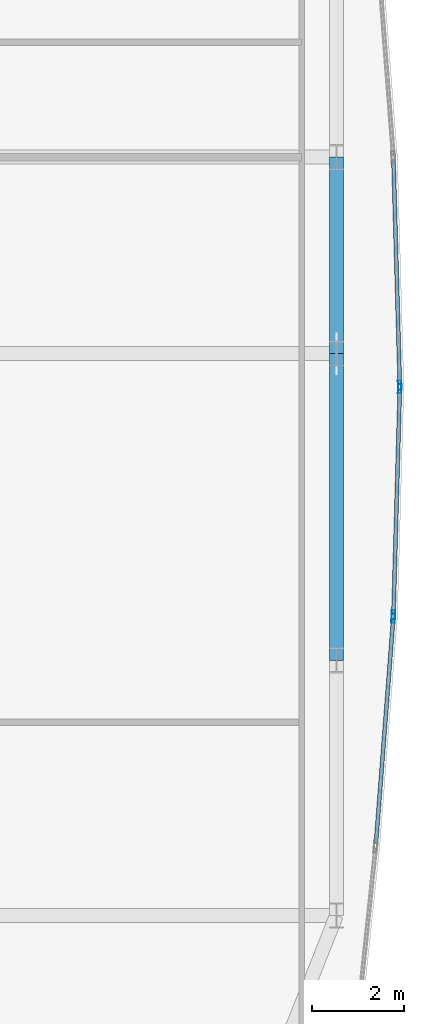
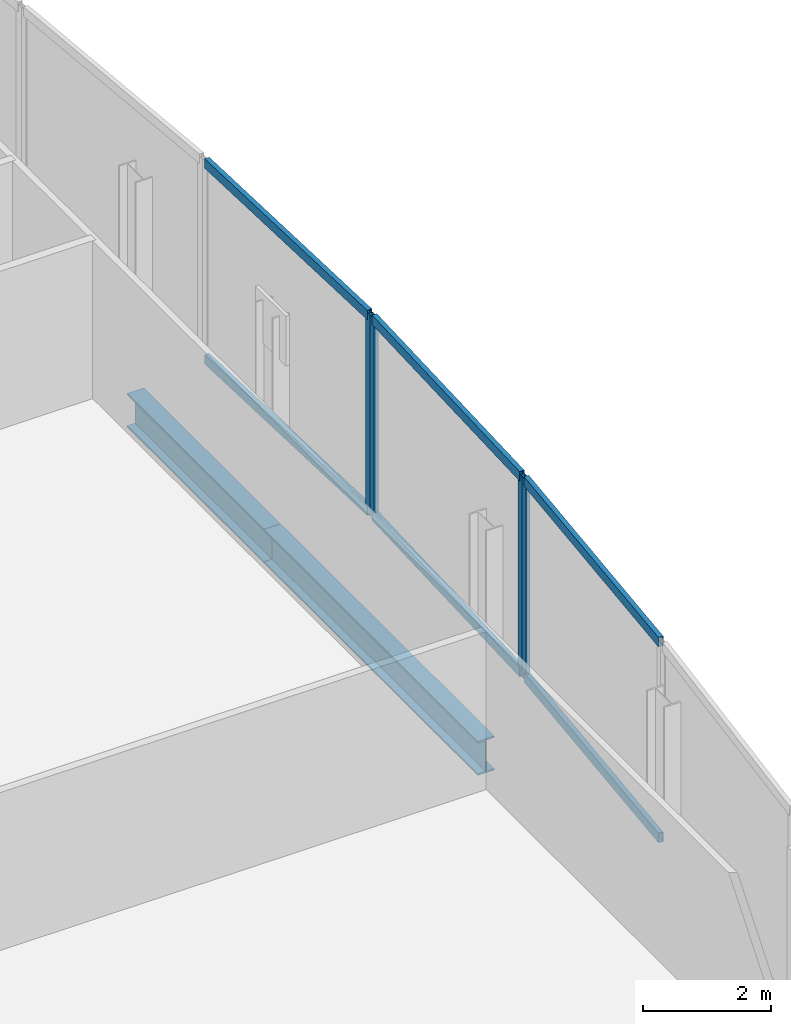
# One storey, part 22 of 30: 10 members, 2 beams, 3 elements without a shape of their own.
"""IFC4 building model written with IfcOpenShell, lengths in metres."""

from ifc_helpers import new_model, si_unit, direction, frame, origin, origin_2d, place, context, subcontext, project, spatial, hollow_rectangle, i_section, extrude, material, material_profile, profile_set, type_object, element, aggregate, save


model = new_model("IFC4")

# Units and contexts
model_context = context("Model", 3, precision=1e-05, world=origin(), true_north=direction((0.0, 1.0)))
body_context = subcontext(model_context, "Body", "Model", "MODEL_VIEW")
ifc_project = project(units=[si_unit("LENGTHUNIT", "METRE"), si_unit("AREAUNIT", "SQUARE_METRE"), si_unit("VOLUMEUNIT", "CUBIC_METRE"), si_unit("PLANEANGLEUNIT", "RADIAN"), si_unit("MASSUNIT", "GRAM", prefix="KILO")], contexts=[model_context])

# Site, building, storey
site_placement = place(None, origin())
site = spatial("IfcSite", under=ifc_project, at=site_placement, CompositionType="ELEMENT")
building_placement = place(site_placement, origin())
building = spatial("IfcBuilding", under=site, at=building_placement, Name="Khoronbel Lancet Exchange", CompositionType="ELEMENT")
storey_placement = place(building_placement, frame((0.0, 0.0, 90.60009765625)))
storey = spatial("IfcBuildingStorey", under=building, at=storey_placement, Name="L21", CompositionType="ELEMENT", Elevation=90.60009765625)

# Beams
ifc_material_1 = material(Name="Steel S355", Category="steel")
ifc_material_profile_1 = material_profile(ifc_material_1, i_section(OverallWidth=0.300048828125, OverallDepth=0.64990234375, WebThickness=0.01611328125, FlangeThickness=0.031005859375, at=origin_2d()), Name="HEB 650")
ifc_profile_set_1 = profile_set([ifc_material_profile_1], Name="Steel S355")
beam_type = type_object("IfcBeamType", Name="BM-BSP1", PredefinedType="SPANDREL", material=ifc_profile_set_1)
beam_1_placement = place(storey_placement, frame((69.6298828125, 24.75, -0.505126953125), z_axis=(0.0, 1.0, 0.0), x_axis=(-1.0, 0.0, 0.0)))
element("IfcBeam", 1, at=beam_1_placement, inside=storey, type_object=beam_type, Name="Level L21 perimeter spandrel beam SP12", PredefinedType="SPANDREL", context=body_context, shape_type="SweptSolid", body=[
    extrude(i_section(OverallWidth=0.300048828125, OverallDepth=0.64990234375, WebThickness=0.01611328125, FlangeThickness=0.031005859375, at=origin_2d()), origin(), (0.0, 0.0, 1.0), 6.675048828125),
])
beam_2_placement = place(storey_placement, frame((69.6298828125, 31.425048828125, -0.505126953125), z_axis=(0.0, 1.0, 0.0), x_axis=(-1.0, 0.0, 0.0)))
element("IfcBeam", 2, at=beam_2_placement, inside=storey, type_object=beam_type, Name="Level L21 perimeter spandrel beam SP13", PredefinedType="SPANDREL", context=body_context, shape_type="SweptSolid", body=[
    extrude(i_section(OverallWidth=0.300048828125, OverallDepth=0.64990234375, WebThickness=0.01611328125, FlangeThickness=0.031005859375, at=origin_2d()), origin(), (0.0, 0.0, 1.0), 4.27490234375),
])

# Curtain wall, member
ifc_material_2 = material(Name="Low-E Solar Control Insulating Glass", Category="glass")
curtain_wall_type = type_object("IfcCurtainWallType", Name="CW-4", PredefinedType="NOTDEFINED", material=ifc_material_2)
curtain_wall_1_placement = place(storey_placement, origin())
curtain_wall_1 = element("IfcCurtainWall", 3, at=curtain_wall_1_placement, inside=storey, type_object=curtain_wall_type, Name="Unitised curtain wall CW-L21-E19", PredefinedType="NOTDEFINED")
ifc_material_3 = material(Name="Bronze-Anodised Aluminium 6063-T6", Category="aluminium")
ifc_material_profile_2 = material_profile(ifc_material_3, hollow_rectangle(XDim=0.074951171875, YDim=0.199951171875, WallThickness=0.0048828125, at=origin_2d()), Name="ALU MULLION 75x200")
ifc_profile_set_2 = profile_set([ifc_material_profile_2], Name="Bronze-Anodised Aluminium 6063-T6")
member_type_1 = type_object("IfcMemberType", Name="MEM-CWM2", PredefinedType="MULLION", material=ifc_profile_set_2)
member_1_placement = place(storey_placement, frame((71.009033203125, 30.737548828125, 0.0), z_axis=(0.0, 0.0, 1.0), x_axis=(0.999604123662, 0.028135315146, 0.0)))
member_1 = element("IfcMember", 4, at=member_1_placement, type_object=member_type_1, Name="CW4 mullion 2", PredefinedType="MULLION", context=body_context, shape_type="SweptSolid", body=[
    extrude(hollow_rectangle(XDim=0.074951171875, YDim=0.199951171875, WallThickness=0.0048828125, at=origin_2d()), origin(), (0.0, 0.0, 1.0), 3.81982421875),
])

# Curtain wall, members
curtain_wall_2_placement = place(storey_placement, origin())
curtain_wall_2 = element("IfcCurtainWall", 5, at=curtain_wall_2_placement, inside=storey, type_object=curtain_wall_type, Name="Unitised curtain wall CW-L21-E20", PredefinedType="NOTDEFINED")
member_2_placement = place(storey_placement, frame((71.009033203125, 30.66259765625, 0.0), z_axis=(0.0, 0.0, 1.0), x_axis=(0.999604123662, -0.028135315146, 0.0)))
member_2 = element("IfcMember", 6, at=member_2_placement, type_object=member_type_1, Name="CW4 mullion 1", PredefinedType="MULLION", context=body_context, shape_type="SweptSolid", body=[
    extrude(hollow_rectangle(XDim=0.074951171875, YDim=0.199951171875, WallThickness=0.0048828125, at=origin_2d()), origin(), (0.0, 0.0, 1.0), 3.81982421875),
])
member_3_placement = place(storey_placement, frame((70.870361328125, 25.7421875, 0.0), z_axis=(0.0, 0.0, 1.0), x_axis=(0.999604123662, -0.028135315146, 0.0)))
member_3 = element("IfcMember", 7, at=member_3_placement, type_object=member_type_1, Name="CW4 mullion 2", PredefinedType="MULLION", context=body_context, shape_type="SweptSolid", body=[
    extrude(hollow_rectangle(XDim=0.074951171875, YDim=0.199951171875, WallThickness=0.0048828125, at=origin_2d()), origin(), (0.0, 0.0, 1.0), 3.81982421875),
])

# Curtain wall, member
curtain_wall_3_placement = place(storey_placement, origin())
curtain_wall_3 = element("IfcCurtainWall", 8, at=curtain_wall_3_placement, inside=storey, type_object=curtain_wall_type, Name="Unitised curtain wall CW-L21-E21", PredefinedType="NOTDEFINED")
member_4_placement = place(storey_placement, frame((70.866455078125, 25.667236328125, 0.0), z_axis=(0.0, 0.0, 1.0), x_axis=(0.997059882555, -0.076626304874, 0.0)))
member_4 = element("IfcMember", 9, at=member_4_placement, type_object=member_type_1, Name="CW4 mullion 1", PredefinedType="MULLION", context=body_context, shape_type="SweptSolid", body=[
    extrude(hollow_rectangle(XDim=0.074951171875, YDim=0.199951171875, WallThickness=0.0048828125, at=origin_2d()), origin(), (0.0, 0.0, 1.0), 3.81982421875),
])

# Member
ifc_material_profile_3 = material_profile(ifc_material_3, hollow_rectangle(XDim=0.0849609375, YDim=0.179931640625, WallThickness=0.0048828125, at=origin_2d()), Name="ALU TRANSOM 85x180")
ifc_profile_set_3 = profile_set([ifc_material_profile_3], Name="Bronze-Anodised Aluminium 6063-T6")
member_type_2 = type_object("IfcMemberType", Name="MEM-CWT1", PredefinedType="USERDEFINED", material=ifc_profile_set_3)
member_5_placement = place(storey_placement, frame((70.87158203125, 35.620361328125, 0.04248046875), z_axis=(0.028103975057, -0.999605005283, 0.0), x_axis=(0.999605005283, 0.028103975057, 0.0)))
member_5 = element("IfcMember", 10, at=member_5_placement, type_object=member_type_2, Name="CW4 transom 1.1", ObjectType="TRANSOM", PredefinedType="USERDEFINED", context=body_context, shape_type="SweptSolid", body=[
    extrude(hollow_rectangle(XDim=0.0849609375, YDim=0.179931640625, WallThickness=0.0048828125, at=origin_2d()), origin(), (0.0, 0.0, 1.0), 4.847412109375),
])

member_6_placement = place(storey_placement, frame((70.87158203125, 35.620361328125, 3.77734375), z_axis=(0.028103975057, -0.999605005283, 0.0), x_axis=(0.999605005283, 0.028103975057, 0.0)))
member_6 = element("IfcMember", 11, at=member_6_placement, type_object=member_type_2, Name="CW4 transom 1.2", ObjectType="TRANSOM", PredefinedType="USERDEFINED", context=body_context, shape_type="SweptSolid", body=[
    extrude(hollow_rectangle(XDim=0.0849609375, YDim=0.179931640625, WallThickness=0.0048828125, at=origin_2d()), origin(), (0.0, 0.0, 1.0), 4.847412109375),
])

aggregate(curtain_wall_1, [member_1, member_5, member_6])

member_7_placement = place(storey_placement, frame((71.0078125, 30.625, 0.04248046875), z_axis=(-0.028105390041, -0.999604965499, 0.0), x_axis=(0.999604965499, -0.028105390041, 0.0)))
member_7 = element("IfcMember", 12, at=member_7_placement, type_object=member_type_2, Name="CW4 transom 1.1", ObjectType="TRANSOM", PredefinedType="USERDEFINED", context=body_context, shape_type="SweptSolid", body=[
    extrude(hollow_rectangle(XDim=0.0849609375, YDim=0.179931640625, WallThickness=0.0048828125, at=origin_2d()), origin(), (0.0, 0.0, 1.0), 4.84716796875),
])

member_8_placement = place(storey_placement, frame((71.0078125, 30.625, 3.77734375), z_axis=(-0.028105390041, -0.999604965499, 0.0), x_axis=(0.999604965499, -0.028105390041, 0.0)))
member_8 = element("IfcMember", 13, at=member_8_placement, type_object=member_type_2, Name="CW4 transom 1.2", ObjectType="TRANSOM", PredefinedType="USERDEFINED", context=body_context, shape_type="SweptSolid", body=[
    extrude(hollow_rectangle(XDim=0.0849609375, YDim=0.179931640625, WallThickness=0.0048828125, at=origin_2d()), origin(), (0.0, 0.0, 1.0), 4.84716796875),
])

aggregate(curtain_wall_2, [member_2, member_3, member_7, member_8])

member_9_placement = place(storey_placement, frame((70.86376953125, 25.6298828125, 0.04248046875), z_axis=(-0.076638891079, -0.997058915197, 0.0), x_axis=(0.997058915197, -0.076638891079, 0.0)))
member_9 = element("IfcMember", 14, at=member_9_placement, type_object=member_type_2, Name="CW4 transom 1.1", ObjectType="TRANSOM", PredefinedType="USERDEFINED", context=body_context, shape_type="SweptSolid", body=[
    extrude(hollow_rectangle(XDim=0.0849609375, YDim=0.179931640625, WallThickness=0.0048828125, at=origin_2d()), origin(), (0.0, 0.0, 1.0), 4.861328125),
])

member_10_placement = place(storey_placement, frame((70.86376953125, 25.6298828125, 3.77734375), z_axis=(-0.076638891079, -0.997058915197, 0.0), x_axis=(0.997058915197, -0.076638891079, 0.0)))
member_10 = element("IfcMember", 15, at=member_10_placement, type_object=member_type_2, Name="CW4 transom 1.2", ObjectType="TRANSOM", PredefinedType="USERDEFINED", context=body_context, shape_type="SweptSolid", body=[
    extrude(hollow_rectangle(XDim=0.0849609375, YDim=0.179931640625, WallThickness=0.0048828125, at=origin_2d()), origin(), (0.0, 0.0, 1.0), 4.861328125),
])

aggregate(curtain_wall_3, [member_4, member_9, member_10])

save(model, "model.ifc")
